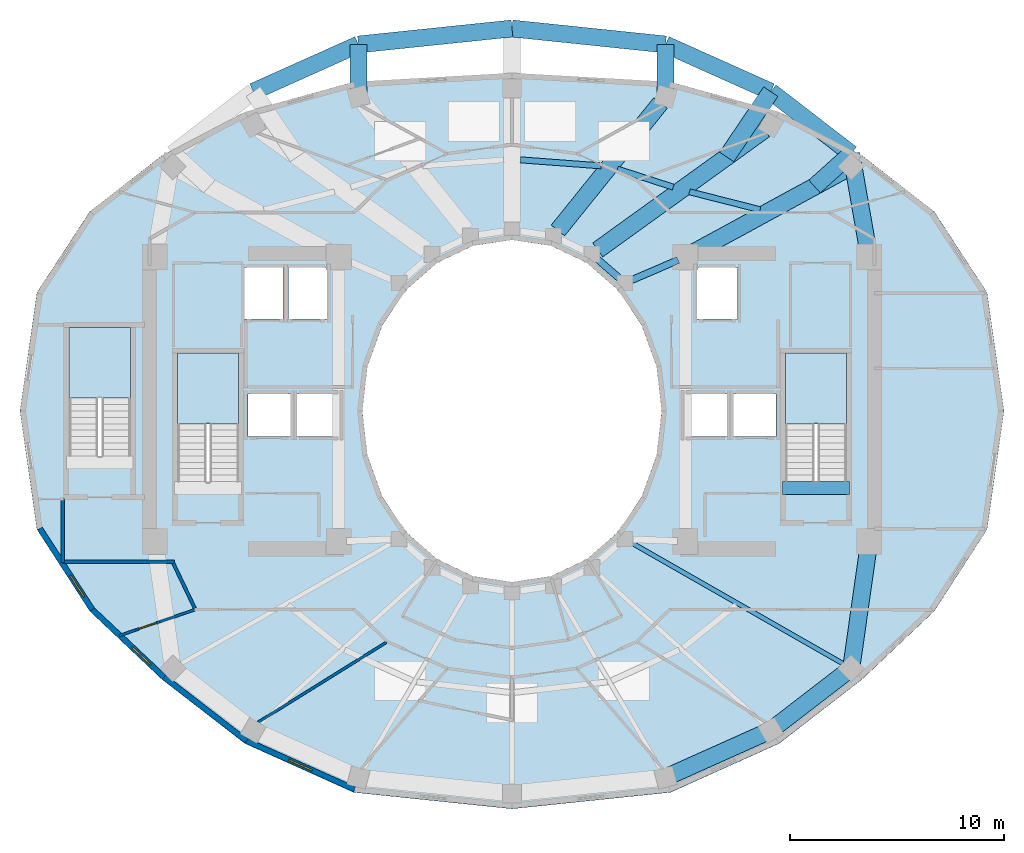
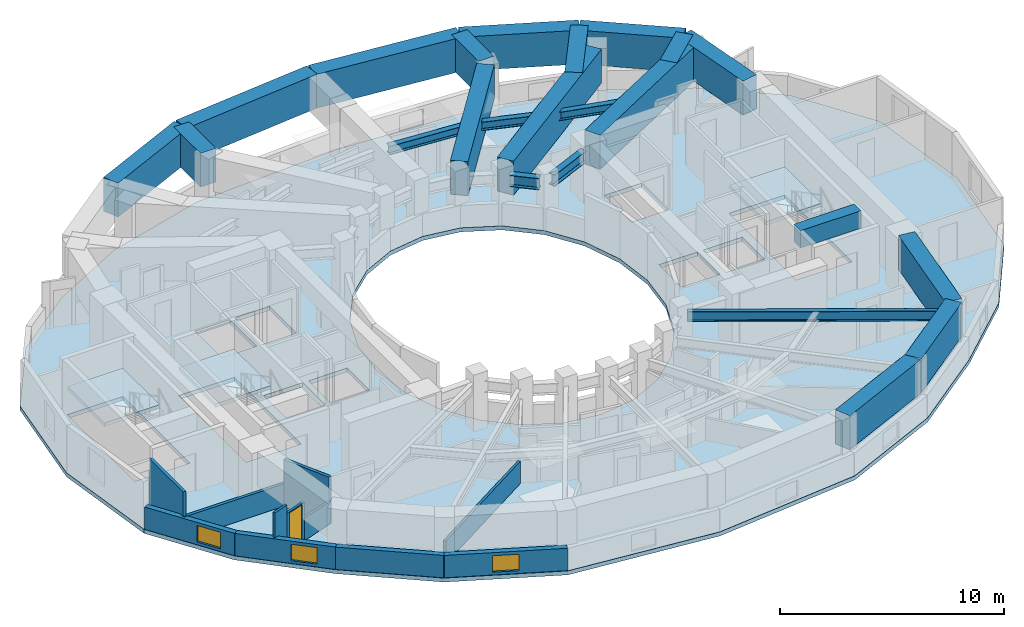
# One storey, part 2 of 9: 23 beams, 11 walls, 4 slabs, 3 windows, 1 door, 4 openings, 3 elements without a shape of their own.
"""IFC4 building model written with IfcOpenShell, lengths in metres."""

from ifc_helpers import new_model, si_unit, direction, frame, frame_2d, origin, origin_2d, place, context, subcontext, project, spatial, polyline, rectangle, i_section, outline, extrude, material, layer, layer_set, material_profile, profile_set, type_object, element, fill, aggregate, save


model = new_model("IFC4")

# Units and contexts
model_context = context("Model", 3, precision=1e-05, world=origin(), true_north=direction((0.0, 1.0)))
body_context = subcontext(model_context, "Body", "Model", "MODEL_VIEW")
ifc_project = project(units=[si_unit("LENGTHUNIT", "METRE"), si_unit("AREAUNIT", "SQUARE_METRE"), si_unit("VOLUMEUNIT", "CUBIC_METRE"), si_unit("PLANEANGLEUNIT", "RADIAN"), si_unit("MASSUNIT", "GRAM", prefix="KILO")], contexts=[model_context])

# Site, building, storey
site_placement = place(None, origin())
site = spatial("IfcSite", under=ifc_project, at=site_placement, CompositionType="ELEMENT")
building_placement = place(site_placement, origin())
building = spatial("IfcBuilding", under=site, at=building_placement, Name="Solvane Sanctuary Tower", CompositionType="ELEMENT")
storey_placement = place(building_placement, frame((0.0, 0.0, 140.5)))
storey = spatial("IfcBuildingStorey", under=building, at=storey_placement, Name="L42", CompositionType="ELEMENT", Elevation=140.5)

# Beams
ifc_material_1 = material(Name="Concrete C70/85", Category="concrete")
ifc_material_profile_1 = material_profile(ifc_material_1, rectangle(XDim=0.60009765625, YDim=0.949951171875, at=origin_2d()), Name="RC600X950")
ifc_profile_set_1 = profile_set([ifc_material_profile_1], Name="Concrete C70/85")
beam_type_1 = type_object("IfcBeamType", Name="Beam B-COUPLE RC600X950", PredefinedType="LINTEL", material=ifc_profile_set_1)
beam_1_placement = place(storey_placement, frame((44.64990234375, 19.399169921875, 2.625), z_axis=(1.0, 0.0, 0.0), x_axis=(0.0, 1.0, 0.0)))
element("IfcBeam", 1, at=beam_1_placement, inside=storey, type_object=beam_type_1, Name="L42 ST-2 Stair Floor Landing Trimmer", PredefinedType="LINTEL", context=body_context, shape_type="SweptSolid", body=[
    extrude(rectangle(XDim=0.60009765625, YDim=0.949951171875, at=origin_2d()), origin(), (0.0, 0.0, 1.0), 3.1201171875),
])
ifc_material_2 = material(Name="Steel ASTM A992 Grade 50", Category="steel")
ifc_material_profile_2 = material_profile(ifc_material_2, i_section(OverallWidth=0.214111328125, OverallDepth=0.549072265625, WebThickness=0.0146484375, FlangeThickness=0.023681640625, FilletRadius=0.014892578125, at=origin_2d()), Name="W21X93")
ifc_profile_set_2 = profile_set([ifc_material_profile_2], Name="Steel ASTM A992 Grade 50")
beam_type_2 = type_object("IfcBeamType", Name="Beam B-RAD-Z3 W21X93", PredefinedType="JOIST", material=ifc_profile_set_2)
beam_2_placement = place(storey_placement, frame((37.51806640625, 16.87890625, 2.323486328125), z_axis=(0.86816302692, -0.496279113694, 0.0), x_axis=(0.496279113694, 0.86816302692, 0.0)))
element("IfcBeam", 2, at=beam_2_placement, inside=storey, type_object=beam_type_2, Name="L42 Radial Composite Floor Beam 14", PredefinedType="JOIST", context=body_context, shape_type="SweptSolid", body=[
    extrude(i_section(OverallWidth=0.214111328125, OverallDepth=0.549072265625, WebThickness=0.0146484375, FlangeThickness=0.023681640625, FilletRadius=0.014892578125, at=origin_2d()), origin(), (0.0, 0.0, 1.0), 11.62841796875),
])
ifc_material_profile_3 = material_profile(ifc_material_2, i_section(OverallWidth=0.324951171875, OverallDepth=0.615966796875, WebThickness=0.013916015625, FlangeThickness=0.021484375, FilletRadius=0.01611328125, at=origin_2d()), Name="W24X117")
ifc_profile_set_3 = profile_set([ifc_material_profile_3], Name="Steel ASTM A992 Grade 50")
beam_type_3 = type_object("IfcBeamType", Name="Beam B-RING-IN2 W24X117", PredefinedType="BEAM", material=ifc_profile_set_3)
beam_3_placement = place(storey_placement, frame((35.990234375, 30.10009765625, 2.2900390625), z_axis=(0.754311313851, -0.656516901379, 0.0), x_axis=(0.656516901379, 0.754311313851, 0.0)))
element("IfcBeam", 3, at=beam_3_placement, inside=storey, type_object=beam_type_3, Name="L42 Inner Light-Well Ring Beam IC02-IC01", PredefinedType="BEAM", context=body_context, shape_type="SweptSolid", body=[
    extrude(i_section(OverallWidth=0.324951171875, OverallDepth=0.615966796875, WebThickness=0.013916015625, FlangeThickness=0.021484375, FilletRadius=0.01611328125, at=origin_2d()), origin(), (0.0, 0.0, 1.0), 1.358154296875),
])
beam_4_placement = place(storey_placement, frame((37.591796875, 29.11865234375, 2.2900390625), z_axis=(0.918264067649, 0.395968561966, 0.0), x_axis=(-0.395968561966, 0.918264067649, 0.0)))
element("IfcBeam", 4, at=beam_4_placement, inside=storey, type_object=beam_type_3, Name="L42 Inner Light-Well Ring Beam IC01-CE4", PredefinedType="BEAM", context=body_context, shape_type="SweptSolid", body=[
    extrude(i_section(OverallWidth=0.324951171875, OverallDepth=0.615966796875, WebThickness=0.013916015625, FlangeThickness=0.021484375, FilletRadius=0.01611328125, at=origin_2d()), origin(), (0.0, 0.0, 1.0), 2.371337890625),
])
ifc_material_profile_4 = material_profile(ifc_material_2, i_section(OverallWidth=0.280029296875, OverallDepth=0.462890625, WebThickness=0.0107421875, FlangeThickness=0.017333984375, FilletRadius=0.013916015625, at=origin_2d()), Name="W18X76")
ifc_profile_set_4 = profile_set([ifc_material_profile_4], Name="Steel ASTM A992 Grade 50")
beam_type_4 = type_object("IfcBeamType", Name="Beam B-SEC-JOIST W18X76", PredefinedType="JOIST", material=ifc_profile_set_4)
beam_5_placement = place(storey_placement, frame((32.393798828125, 34.740478515625, 2.366455078125), z_axis=(0.997214593532, -0.074585886379, 0.0), x_axis=(0.074585886379, 0.997214593532, 0.0)))
element("IfcBeam", 5, at=beam_5_placement, inside=storey, type_object=beam_type_4, Name="L42 Secondary Circumferential Joist 04-03", PredefinedType="JOIST", context=body_context, shape_type="SweptSolid", body=[
    extrude(i_section(OverallWidth=0.280029296875, OverallDepth=0.462890625, WebThickness=0.0107421875, FlangeThickness=0.017333984375, FilletRadius=0.013916015625, at=origin_2d()), origin(), (0.0, 0.0, 1.0), 3.77734375),
])
beam_6_placement = place(storey_placement, frame((36.930419921875, 34.3076171875, 2.366455078125), z_axis=(0.951521219436, -0.307583109035, 0.0), x_axis=(0.307583109035, 0.951521219436, 0.0)))
element("IfcBeam", 6, at=beam_6_placement, inside=storey, type_object=beam_type_4, Name="L42 Secondary Circumferential Joist 03-02", PredefinedType="JOIST", context=body_context, shape_type="SweptSolid", body=[
    extrude(i_section(OverallWidth=0.280029296875, OverallDepth=0.462890625, WebThickness=0.0107421875, FlangeThickness=0.017333984375, FilletRadius=0.013916015625, at=origin_2d()), origin(), (0.0, 0.0, 1.0), 2.74072265625),
])
beam_7_placement = place(storey_placement, frame((40.297119140625, 33.24609375, 2.366455078125), z_axis=(0.969352380712, -0.245674504186, 0.0), x_axis=(0.245674504186, 0.969352380712, 0.0)))
element("IfcBeam", 7, at=beam_7_placement, inside=storey, type_object=beam_type_4, Name="L42 Secondary Circumferential Joist 02-01", PredefinedType="JOIST", context=body_context, shape_type="SweptSolid", body=[
    extrude(i_section(OverallWidth=0.280029296875, OverallDepth=0.462890625, WebThickness=0.0107421875, FlangeThickness=0.017333984375, FilletRadius=0.013916015625, at=origin_2d()), origin(), (0.0, 0.0, 1.0), 3.402587890625),
])
ifc_material_profile_5 = material_profile(ifc_material_1, rectangle(XDim=0.800048828125, YDim=1.85009765625, at=origin_2d()), Name="RC800X1850")
ifc_profile_set_5 = profile_set([ifc_material_profile_5], Name="Concrete C70/85")
beam_type_5 = type_object("IfcBeamType", Name="Beam B-XFER-BLK RC800X1850", PredefinedType="BEAM", material=ifc_profile_set_5)
beam_8_placement = place(storey_placement, frame((40.416015625, 30.372314453125, 2.175048828125), z_axis=(0.878108492406, 0.47846157167, 0.0), x_axis=(-0.47846157167, 0.878108492406, 0.0)))
element("IfcBeam", 8, at=beam_8_placement, inside=storey, type_object=beam_type_5, Name="L42 Block-Shift Radial Transfer Girder 01A", PredefinedType="BEAM", context=body_context, shape_type="SweptSolid", body=[
    extrude(rectangle(XDim=0.800048828125, YDim=1.85009765625, at=origin_2d()), origin(), (0.0, 0.0, 1.0), 8.103515625),
])
beam_9_placement = place(storey_placement, frame((46.144287109375, 33.493408203125, 2.175048828125), z_axis=(0.744063778649, 0.668108593945, 0.0), x_axis=(-0.668108593945, 0.744063778649, 0.0)))
element("IfcBeam", 9, at=beam_9_placement, inside=storey, type_object=beam_type_5, Name="L42 Block-Shift Transfer Tie 01B", PredefinedType="BEAM", context=body_context, shape_type="SweptSolid", body=[
    extrude(rectangle(XDim=0.800048828125, YDim=1.85009765625, at=origin_2d()), origin(), (0.0, 0.0, 1.0), 2.301513671875),
])
beam_10_placement = place(storey_placement, frame((36.010009765625, 30.5283203125, 2.175048828125), z_axis=(0.811184514133, 0.584790290643, 0.0), x_axis=(-0.584790290643, 0.811184514133, 0.0)))
element("IfcBeam", 10, at=beam_10_placement, inside=storey, type_object=beam_type_5, Name="L42 Block-Shift Radial Transfer Girder 02A", PredefinedType="BEAM", context=body_context, shape_type="SweptSolid", body=[
    extrude(rectangle(XDim=0.800048828125, YDim=1.85009765625, at=origin_2d()), origin(), (0.0, 0.0, 1.0), 9.600830078125),
])
beam_11_placement = place(storey_placement, frame((42.03662109375, 34.873291015625, 2.175048828125), z_axis=(0.559400033837, 0.828897823705, 0.0), x_axis=(-0.828897823705, 0.559400033837, 0.0)))
element("IfcBeam", 11, at=beam_11_placement, inside=storey, type_object=beam_type_5, Name="L42 Block-Shift Transfer Tie 02B", PredefinedType="BEAM", context=body_context, shape_type="SweptSolid", body=[
    extrude(rectangle(XDim=0.800048828125, YDim=1.85009765625, at=origin_2d()), origin(), (0.0, 0.0, 1.0), 3.685302734375),
])
beam_12_placement = place(storey_placement, frame((34.147216796875, 31.4404296875, 2.175048828125), z_axis=(0.627295131383, 0.778781624169, 0.0), x_axis=(-0.778781624169, 0.627295131383, 0.0)))
element("IfcBeam", 12, at=beam_12_placement, inside=storey, type_object=beam_type_5, Name="L42 Block-Shift Radial Transfer Girder 03A", PredefinedType="BEAM", context=body_context, shape_type="SweptSolid", body=[
    extrude(rectangle(XDim=0.800048828125, YDim=1.85009765625, at=origin_2d()), origin(), (0.0, 0.0, 1.0), 7.650390625),
])
for number, where, z_axis, x_axis, name in (
    (13, (39.17822265625, 37.73681640625, 2.175048828125), (0.0, 1.0, 0.0), (-1.0, 0.0, 0.0), "L42 Block-Shift Transfer Tie 03B"),
    (14, (24.82177734375, 37.73681640625, 2.175048828125), (0.0, 1.0, 0.0), (-1.0, 0.0, 0.0), "L42 Block-Shift Transfer Tie 05B"),
):
    element("IfcBeam", number, at=place(storey_placement, frame(where, z_axis=z_axis, x_axis=x_axis)), inside=storey, type_object=beam_type_5, Name=name, PredefinedType="BEAM", context=body_context, shape_type="SweptSolid", body=[
        extrude(rectangle(XDim=0.800048828125, YDim=1.85009765625, at=origin_2d()), origin(), (0.0, 0.0, 1.0), 2.397705078125),
    ])
beam_13_placement = place(storey_placement, frame((19.90185546875, 37.927978515625, 2.175048828125), z_axis=(0.912435879272, 0.409219704092, 0.0), x_axis=(-0.409219704092, 0.912435879272, 0.0)))
element("IfcBeam", 15, at=beam_13_placement, inside=storey, type_object=beam_type_5, Name="L42 Perimeter Step Transfer Ring NTC06-NTC05", PredefinedType="BEAM", context=body_context, shape_type="SweptSolid", body=[
    extrude(rectangle(XDim=0.800048828125, YDim=1.85009765625, at=origin_2d()), origin(), (0.0, 0.0, 1.0), 5.39208984375),
])
for number, where, z_axis, x_axis, name in (
    (16, (24.82177734375, 40.134521484375, 2.175048828125), (0.994652199756, 0.10328117699, 0.0), (-0.10328117699, 0.994652199756, 0.0), "L42 Perimeter Step Transfer Ring NTC05-NTC04"),
    (17, (32.0, 40.8798828125, 2.175048828125), (0.994652199756, -0.10328117699, 0.0), (0.10328117699, 0.994652199756, 0.0), "L42 Perimeter Step Transfer Ring NTC04-NTC03"),
):
    element("IfcBeam", number, at=place(storey_placement, frame(where, z_axis=z_axis, x_axis=x_axis)), inside=storey, type_object=beam_type_5, Name=name, PredefinedType="BEAM", context=body_context, shape_type="SweptSolid", body=[
        extrude(rectangle(XDim=0.800048828125, YDim=1.85009765625, at=origin_2d()), origin(), (0.0, 0.0, 1.0), 7.216796875),
    ])
beam_14_placement = place(storey_placement, frame((39.17822265625, 40.134521484375, 2.175048828125), z_axis=(0.912435879272, -0.409219704092, 0.0), x_axis=(0.409219704092, 0.912435879272, 0.0)))
element("IfcBeam", 18, at=beam_14_placement, inside=storey, type_object=beam_type_5, Name="L42 Perimeter Step Transfer Ring NTC03-NTC02", PredefinedType="BEAM", context=body_context, shape_type="SweptSolid", body=[
    extrude(rectangle(XDim=0.800048828125, YDim=1.85009765625, at=origin_2d()), origin(), (0.0, 0.0, 1.0), 5.39208984375),
])
beam_15_placement = place(storey_placement, frame((44.09814453125, 37.927978515625, 2.175048828125), z_axis=(0.792034554649, -0.610476260179, 0.0), x_axis=(0.610476260179, 0.792034554649, 0.0)))
element("IfcBeam", 19, at=beam_15_placement, inside=storey, type_object=beam_type_5, Name="L42 Perimeter Step Transfer Ring NTC02-NTC01", PredefinedType="BEAM", context=body_context, shape_type="SweptSolid", body=[
    extrude(rectangle(XDim=0.800048828125, YDim=1.85009765625, at=origin_2d()), origin(), (0.0, 0.0, 1.0), 4.745361328125),
])
beam_16_placement = place(storey_placement, frame((47.856689453125, 35.031005859375, 2.175048828125), z_axis=(0.171982816413, -0.98509994968, 0.0), x_axis=(0.98509994968, 0.171982816413, 0.0)))
element("IfcBeam", 20, at=beam_16_placement, inside=storey, type_object=beam_type_5, Name="L42 Perimeter Step Transfer Ring NTC01-CE3", PredefinedType="BEAM", context=body_context, shape_type="SweptSolid", body=[
    extrude(rectangle(XDim=0.800048828125, YDim=1.85009765625, at=origin_2d()), origin(), (0.0, 0.0, 1.0), 4.5439453125),
])
beam_17_placement = place(storey_placement, frame((39.17822265625, 5.865478515625, 2.175048828125), z_axis=(0.912435879272, 0.409219704092, 0.0), x_axis=(-0.409219704092, 0.912435879272, 0.0)))
element("IfcBeam", 21, at=beam_17_placement, inside=storey, type_object=beam_type_5, Name="L42 Perimeter Step Transfer Ring NTC12-NTC13", PredefinedType="BEAM", context=body_context, shape_type="SweptSolid", body=[
    extrude(rectangle(XDim=0.800048828125, YDim=1.85009765625, at=origin_2d()), origin(), (0.0, 0.0, 1.0), 5.39208984375),
])
beam_18_placement = place(storey_placement, frame((44.09814453125, 8.072021484375, 2.175048828125), z_axis=(0.792034554649, 0.610476260179, 0.0), x_axis=(-0.610476260179, 0.792034554649, 0.0)))
element("IfcBeam", 22, at=beam_18_placement, inside=storey, type_object=beam_type_5, Name="L42 Perimeter Step Transfer Ring NTC13-NTC14", PredefinedType="BEAM", context=body_context, shape_type="SweptSolid", body=[
    extrude(rectangle(XDim=0.800048828125, YDim=1.85009765625, at=origin_2d()), origin(), (0.0, 0.0, 1.0), 4.745361328125),
])
beam_19_placement = place(storey_placement, frame((47.856689453125, 10.968994140625, 2.175048828125), z_axis=(0.1407839619, 0.990040340628, 0.0), x_axis=(-0.990040340628, 0.1407839619, 0.0)))
element("IfcBeam", 23, at=beam_19_placement, inside=storey, type_object=beam_type_5, Name="L42 Perimeter Step Transfer Ring NTC14-CE2", PredefinedType="BEAM", context=body_context, shape_type="SweptSolid", body=[
    extrude(rectangle(XDim=0.800048828125, YDim=1.85009765625, at=origin_2d()), origin(), (0.0, 0.0, 1.0), 5.630859375),
])

# Stair, slab
ifc_material_3 = material(Name="Concrete C45/55", Category="concrete")
stair_type = type_object("IfcStairType", Name="Stair ST-TOW", PredefinedType="HALF_TURN_STAIR", material=ifc_material_3)
stair_1_placement = place(storey_placement, origin())
stair_1 = element("IfcStair", 24, at=stair_1_placement, inside=storey, type_object=stair_type, Name="L42 Exit Stair ST-1 West Core", PredefinedType="HALF_TURN_STAIR")
ifc_layer_1 = layer(ifc_material_3, 0.199951171875, Name="Concrete C45/55")
ifc_layer_set_1 = layer_set([ifc_layer_1], Name="Concrete C45/55")
slab_type_1 = type_object("IfcSlabType", Name="Slab SL-LAND-180", PredefinedType="LANDING", material=ifc_layer_set_1)
slab_1_placement = place(storey_placement, frame((0.0, 0.0, 1.35009765625)))
slab_1 = element("IfcSlab", 25, at=slab_1_placement, type_object=slab_type_1, Name="ST-1 landing 1", PredefinedType="LANDING", context=body_context, shape_type="SweptSolid", body=[
    extrude(outline(polyline([(19.219970703125, 22.39990234375), (19.219970703125, 25.699951171875), (16.360107421875, 25.699951171875), (16.360107421875, 22.39990234375), (19.219970703125, 22.39990234375)])), origin(), (0.0, 0.0, 1.0), 0.199951171875),
])
aggregate(stair_1, [slab_1])

stair_2_placement = place(storey_placement, origin())
stair_2 = element("IfcStair", 26, at=stair_2_placement, inside=storey, type_object=stair_type, Name="L42 Exit Stair ST-2 East Core", PredefinedType="HALF_TURN_STAIR")
slab_2_placement = place(storey_placement, frame((0.0, 0.0, 1.35009765625)))
slab_2 = element("IfcSlab", 27, at=slab_2_placement, type_object=slab_type_1, Name="ST-2 landing 1", PredefinedType="LANDING", context=body_context, shape_type="SweptSolid", body=[
    extrude(outline(polyline([(47.639892578125, 22.39990234375), (47.639892578125, 25.699951171875), (44.780029296875, 25.699951171875), (44.780029296875, 22.39990234375), (47.639892578125, 22.39990234375)])), origin(), (0.0, 0.0, 1.0), 0.199951171875),
])
aggregate(stair_2, [slab_2])

stair_3_placement = place(storey_placement, origin())
stair_3 = element("IfcStair", 28, at=stair_3_placement, inside=storey, type_object=stair_type, Name="L42 Exit Stair ST-3 Pilgrim Tower Stair", PredefinedType="HALF_TURN_STAIR")
slab_3_placement = place(storey_placement, frame((0.0, 0.0, 1.35009765625)))
slab_3 = element("IfcSlab", 29, at=slab_3_placement, type_object=slab_type_1, Name="ST-3 landing 1", PredefinedType="LANDING", context=body_context, shape_type="SweptSolid", body=[
    extrude(outline(polyline([(14.159912109375, 23.60009765625), (14.159912109375, 26.89990234375), (11.300048828125, 26.89990234375), (11.300048828125, 23.60009765625), (14.159912109375, 23.60009765625)])), origin(), (0.0, 0.0, 1.0), 0.199951171875),
])
aggregate(stair_3, [slab_3])

# Slab
ifc_layer_2 = layer(ifc_material_3, 0.219970703125, Name="Concrete C45/55")
ifc_layer_set_2 = layer_set([ifc_layer_2], Name="Concrete C45/55")
slab_type_2 = type_object("IfcSlabType", Name="Slab SL-TOW-220", PredefinedType="FLOOR", material=ifc_layer_set_2)
slab_4_placement = place(storey_placement, frame((0.0, 0.0, -0.219970703125)))
element("IfcSlab", 30, at=slab_4_placement, inside=storey, type_object=slab_type_2, Name="L42 Primary Structural Slab", PredefinedType="FLOOR", context=body_context, shape_type="SweptSolid", body=[
    extrude(outline(polyline([(55.0, 23.0), (54.205322265625, 28.54150390625), (51.7392578125, 32.3193359375), (48.368896484375, 34.938720703125), (44.489013671875, 36.977294921875), (39.410400390625, 38.3818359375), (32.0, 38.800048828125), (24.589599609375, 38.3818359375), (19.510986328125, 36.977294921875), (15.631103515625, 34.938720703125), (12.2607421875, 32.3193359375), (9.794677734375, 28.54150390625), (9.0, 23.0), (9.794677734375, 17.45849609375), (12.2607421875, 13.639892578125), (15.631103515625, 10.45654296875), (19.510986328125, 7.4541015625), (24.589599609375, 5.17041015625), (32.0, 4.39990234375), (39.410400390625, 5.17041015625), (44.489013671875, 7.4541015625), (48.368896484375, 10.45654296875), (51.7392578125, 13.639892578125), (54.205322265625, 17.45849609375), (55.0, 23.0)]), holes=[polyline([(38.761474609375, 20.929443359375), (38.062255859375, 19.0), (36.94970703125, 17.343017578125), (35.5, 16.07177734375), (33.811767578125, 15.272705078125), (32.0, 15.0), (30.188232421875, 15.272705078125), (28.5, 16.07177734375), (27.05029296875, 17.343017578125), (25.937744140625, 19.0), (25.238525390625, 20.929443359375), (25.0, 23.0), (25.238525390625, 25.070556640625), (25.937744140625, 27.0), (27.05029296875, 28.656982421875), (28.5, 29.92822265625), (30.188232421875, 30.727294921875), (32.0, 31.0), (33.811767578125, 30.727294921875), (35.5, 29.92822265625), (36.94970703125, 28.656982421875), (38.062255859375, 27.0), (38.761474609375, 25.070556640625), (39.0, 23.0), (38.761474609375, 20.929443359375)]), polyline([(16.360107421875, 19.699951171875), (16.360107421875, 25.699951171875), (19.219970703125, 25.699951171875), (19.219970703125, 19.699951171875), (16.360107421875, 19.699951171875)]), polyline([(44.780029296875, 19.699951171875), (44.780029296875, 25.699951171875), (47.639892578125, 25.699951171875), (47.639892578125, 19.699951171875), (44.780029296875, 19.699951171875)]), polyline([(11.300048828125, 20.89990234375), (11.300048828125, 26.89990234375), (14.159912109375, 26.89990234375), (14.159912109375, 20.89990234375), (11.300048828125, 20.89990234375)]), polyline([(19.64990234375, 23.800048828125), (21.64990234375, 23.800048828125), (21.64990234375, 21.800048828125), (19.64990234375, 21.800048828125), (19.64990234375, 23.800048828125)]), polyline([(42.35009765625, 23.800048828125), (44.35009765625, 23.800048828125), (44.35009765625, 21.800048828125), (42.35009765625, 21.800048828125), (42.35009765625, 23.800048828125)]), polyline([(21.949951171875, 23.800048828125), (23.949951171875, 23.800048828125), (23.949951171875, 21.800048828125), (21.949951171875, 21.800048828125), (21.949951171875, 23.800048828125)]), polyline([(40.050048828125, 23.800048828125), (42.050048828125, 23.800048828125), (42.050048828125, 21.800048828125), (40.050048828125, 21.800048828125), (40.050048828125, 23.800048828125)]), polyline([(19.5, 29.699951171875), (21.300048828125, 29.699951171875), (21.300048828125, 27.300048828125), (19.5, 27.300048828125), (19.5, 29.699951171875)]), polyline([(21.550048828125, 29.699951171875), (23.35009765625, 29.699951171875), (23.35009765625, 27.300048828125), (21.550048828125, 27.300048828125), (21.550048828125, 29.699951171875)]), polyline([(40.64990234375, 29.699951171875), (42.550048828125, 29.699951171875), (42.550048828125, 27.300048828125), (40.64990234375, 27.300048828125), (40.64990234375, 29.699951171875)])]), origin(), (0.0, 0.0, 1.0), 0.219970703125),
])

# Walls
ifc_material_4 = material(Name="Acoustic Gypsum Partition Board")
ifc_layer_3 = layer(ifc_material_4, 0.14990234375, Name="Acoustic Gypsum Partition Board")
ifc_layer_set_3 = layer_set([ifc_layer_3], Name="Acoustic Gypsum Partition Board")
wall_type_1 = type_object("IfcWallType", Name="Wall W-CORR-150", PredefinedType="PARTITIONING", material=ifc_layer_set_3)
wall_1_placement = place(storey_placement, frame((11.0, 15.909912109375, 0.0), z_axis=(0.0, 0.0, 1.0), x_axis=(0.0, 1.0, 0.0)))
element("IfcWall", 31, at=wall_1_placement, inside=storey, type_object=wall_type_1, Name="L42 SW Corner Closer 2", PredefinedType="PARTITIONING", context=body_context, shape_type="SweptSolid", body=[
    extrude(rectangle(XDim=3.010009765625, YDim=0.14990234375, at=frame_2d((1.5048828125, 0.0))), origin(), (0.0, 0.0, 1.0), 2.574951171875),
])
wall_2_placement = place(storey_placement, frame((10.9599609375, 15.949951171875, 0.0), z_axis=(0.0, 0.0, 1.0), x_axis=(1.0, 0.0, 0.0)))
element("IfcWall", 32, at=wall_2_placement, inside=storey, type_object=wall_type_1, Name="L42 SW Corner Closer 3", PredefinedType="PARTITIONING", context=body_context, shape_type="SweptSolid", body=[
    extrude(rectangle(XDim=5.260009765625, YDim=0.14990234375, at=frame_2d((2.6298828125, 0.0))), origin(), (0.0, 0.0, 1.0), 1.219970703125),
])
wall_3_placement = place(storey_placement, frame((17.2216796875, 13.6748046875, 0.0), z_axis=(0.0, 0.0, 1.0), x_axis=(-0.431973389813, 0.901886351207, 0.0)))
element("IfcWall", 33, at=wall_3_placement, inside=storey, type_object=wall_type_1, Name="L42 SW Corner Wing Wall", PredefinedType="PARTITIONING", context=body_context, shape_type="SweptSolid", body=[
    extrude(rectangle(XDim=2.45166015625, YDim=0.14990234375, at=frame_2d((1.225830078125, 0.0))), origin(), (0.0, 0.0, 1.0), 2.574951171875),
])

# Wall, opening, window
ifc_material_5 = material(Name="Precast concrete C40/50", Category="concrete")
ifc_layer_4 = layer(ifc_material_5, 0.260009765625, Name="Precast concrete C40/50")
ifc_layer_set_4 = layer_set([ifc_layer_4], Name="Precast concrete C40/50")
wall_type_2 = type_object("IfcWallType", Name="Wall W-EXT-250", PredefinedType="STANDARD", material=ifc_layer_set_4)
wall_4_placement = place(storey_placement, frame((9.9296875, 17.50341796875, 0.0), z_axis=(0.0, 0.0, 1.0), x_axis=(0.543358984534, -0.839500454989, 0.0)))
wall_4 = element("IfcWall", 34, at=wall_4_placement, inside=storey, type_object=wall_type_2, Name="L42 Ceramic-Printed Facade Wall 13", PredefinedType="STANDARD", context=body_context, shape_type="SweptSolid", body=[
    extrude(rectangle(XDim=4.51123046875, YDim=0.260009765625, at=frame_2d((2.255615234375, 0.0))), origin(), (0.0, 0.0, 1.0), 1.219970703125),
])
opening_1_placement = place(wall_4_placement, frame((2.615478515625, 0.0, 0.14990234375)))
opening_1 = element("IfcOpeningElement", 35, at=opening_1_placement, cuts=wall_4, Name="Opening WN-OPER-1200", PredefinedType="OPENING", context=body_context, shape_type="SweptSolid", body=[
    extrude(rectangle(XDim=1.199951171875, YDim=0.89990234375, at=frame_2d((0.60009765625, 0.449951171875))), frame((0.0, 0.139892578125, 0.0), z_axis=(0.0, -1.0, 0.0), x_axis=(1.0, 0.0, 0.0)), (0.0, 0.0, 1.0), 0.280029296875),
])
ifc_material_6 = material(Name="Dark Ceramic-Fritted Low-E Glass", Category="glass")
window_type = type_object("IfcWindowType", Name="Window WN-OPER-1200", PartitioningType="SINGLE_PANEL", PredefinedType="WINDOW", material=ifc_material_6)
window_1_placement = place(opening_1_placement, origin())
window_1 = element("IfcWindow", 36, at=window_1_placement, inside=storey, type_object=window_type, Name="L42 Operable Facade Window 13", OverallHeight=0.89990234375, OverallWidth=1.199951171875, PartitioningType="SINGLE_PANEL", PredefinedType="WINDOW", context=body_context, shape_type="SweptSolid", body=[
    extrude(rectangle(XDim=1.199951171875, YDim=0.89990234375, at=frame_2d((0.60009765625, 0.449951171875))), frame((0.0, 0.030029296875, 0.0), z_axis=(0.0, -1.0, 0.0), x_axis=(1.0, 0.0, 0.0)), (0.0, 0.0, 1.0), 0.06005859375),
])
fill(opening_1, window_1)

wall_5_placement = place(storey_placement, frame((12.380859375, 13.71630859375, 0.0), z_axis=(0.0, 0.0, 1.0), x_axis=(0.727667301037, -0.68593024354, 0.0)))
wall_5 = element("IfcWall", 37, at=wall_5_placement, inside=storey, type_object=wall_type_2, Name="L42 Ceramic-Printed Facade Wall 14", PredefinedType="STANDARD", context=body_context, shape_type="SweptSolid", body=[
    extrude(rectangle(XDim=4.603515625, YDim=0.260009765625, at=frame_2d((2.3017578125, 0.0))), origin(), (0.0, 0.0, 1.0), 1.219970703125),
])
opening_2_placement = place(wall_5_placement, frame((2.5595703125, 0.0, 0.14990234375)))
opening_2 = element("IfcOpeningElement", 38, at=opening_2_placement, cuts=wall_5, Name="Opening WN-OPER-1200", PredefinedType="OPENING", context=body_context, shape_type="SweptSolid", body=[
    extrude(rectangle(XDim=1.199951171875, YDim=0.89990234375, at=frame_2d((0.60009765625, 0.449951171875))), frame((0.0, 0.139892578125, 0.0), z_axis=(0.0, -1.0, 0.0), x_axis=(1.0, 0.0, 0.0)), (0.0, 0.0, 1.0), 0.280029296875),
])
window_2_placement = place(opening_2_placement, origin())
window_2 = element("IfcWindow", 39, at=window_2_placement, inside=storey, type_object=window_type, Name="L42 Operable Facade Window 14", OverallHeight=0.89990234375, OverallWidth=1.199951171875, PartitioningType="SINGLE_PANEL", PredefinedType="WINDOW", context=body_context, shape_type="SweptSolid", body=[
    extrude(rectangle(XDim=1.199951171875, YDim=0.89990234375, at=frame_2d((0.60009765625, 0.449951171875))), frame((0.0, 0.030029296875, 0.0), z_axis=(0.0, -1.0, 0.0), x_axis=(1.0, 0.0, 0.0)), (0.0, 0.0, 1.0), 0.06005859375),
])
fill(opening_2, window_2)

# Wall
wall_6_placement = place(storey_placement, frame((15.730712890625, 10.55859375, 0.0), z_axis=(0.0, 0.0, 1.0), x_axis=(0.791460185804, -0.611220724687, 0.0)))
element("IfcWall", 40, at=wall_6_placement, inside=storey, type_object=wall_type_2, Name="L42 Ceramic-Printed Facade Wall 15", PredefinedType="STANDARD", context=body_context, shape_type="SweptSolid", body=[
    extrude(rectangle(XDim=4.872314453125, YDim=0.260009765625, at=frame_2d((2.43603515625, 0.0))), origin(), (0.0, 0.0, 1.0), 1.219970703125),
])

# Wall, opening, window
wall_7_placement = place(storey_placement, frame((19.5869140625, 7.58056640625, 0.0), z_axis=(0.0, 0.0, 1.0), x_axis=(0.912353637112, -0.409403029847, 0.0)))
wall_7 = element("IfcWall", 41, at=wall_7_placement, inside=storey, type_object=wall_type_2, Name="L42 Ceramic-Printed Facade Wall 16", PredefinedType="STANDARD", context=body_context, shape_type="SweptSolid", body=[
    extrude(rectangle(XDim=5.53271484375, YDim=0.260009765625, at=frame_2d((2.766357421875, 0.0))), origin(), (0.0, 0.0, 1.0), 1.219970703125),
])
opening_3_placement = place(wall_7_placement, frame((2.16650390625, 0.0, 0.14990234375)))
opening_3 = element("IfcOpeningElement", 42, at=opening_3_placement, cuts=wall_7, Name="Opening WN-OPER-1200", PredefinedType="OPENING", context=body_context, shape_type="SweptSolid", body=[
    extrude(rectangle(XDim=1.199951171875, YDim=0.89990234375, at=frame_2d((0.60009765625, 0.449951171875))), frame((0.0, 0.139892578125, 0.0), z_axis=(0.0, -1.0, 0.0), x_axis=(1.0, 0.0, 0.0)), (0.0, 0.0, 1.0), 0.280029296875),
])
window_3_placement = place(opening_3_placement, origin())
window_3 = element("IfcWindow", 43, at=window_3_placement, inside=storey, type_object=window_type, Name="L42 Operable Facade Window 16", OverallHeight=0.89990234375, OverallWidth=1.199951171875, PartitioningType="SINGLE_PANEL", PredefinedType="WINDOW", context=body_context, shape_type="SweptSolid", body=[
    extrude(rectangle(XDim=1.199951171875, YDim=0.89990234375, at=frame_2d((0.60009765625, 0.449951171875))), frame((0.0, 0.030029296875, 0.0), z_axis=(0.0, -1.0, 0.0), x_axis=(1.0, 0.0, 0.0)), (0.0, 0.0, 1.0), 0.06005859375),
])
fill(opening_3, window_3)

# Wall
ifc_layer_5 = layer(ifc_material_4, 0.1201171875, Name="Acoustic Gypsum Partition Board")
ifc_layer_set_5 = layer_set([ifc_layer_5], Name="Acoustic Gypsum Partition Board")
wall_type_3 = type_object("IfcWallType", Name="Wall W-MOV-100", PredefinedType="MOVABLE", material=ifc_layer_set_5)
wall_8_placement = place(storey_placement, frame((17.247314453125, 13.736328125, 0.0), z_axis=(0.0, 0.0, 1.0), x_axis=(-0.945652975294, -0.325177567366, 0.0)))
element("IfcWall", 44, at=wall_8_placement, inside=storey, type_object=wall_type_3, Name="L42 SW Corner Suite Partition", PredefinedType="MOVABLE", context=body_context, shape_type="SweptSolid", body=[
    extrude(rectangle(XDim=1.81396484375, YDim=0.1201171875, at=frame_2d((0.906982421875, 0.0))), origin(), (0.0, 0.0, 1.0), 1.219970703125),
])

# Wall, opening, door
wall_9_placement = place(storey_placement, frame((15.531982421875, 13.146484375, 0.0), z_axis=(0.0, 0.0, 1.0), x_axis=(-0.945742719509, -0.324916463874, 0.0)))
wall_9 = element("IfcWall", 45, at=wall_9_placement, inside=storey, type_object=wall_type_3, Name="L42 SW Corner Suite Partition", PredefinedType="MOVABLE", context=body_context, shape_type="SweptSolid", body=[
    extrude(rectangle(XDim=1.169921875, YDim=0.1201171875, at=frame_2d((0.5849609375, 0.0))), origin(), (0.0, 0.0, 1.0), 2.110107421875),
])
opening_4_placement = place(wall_9_placement, frame((0.159912109375, 0.0, 0.0)))
opening_4 = element("IfcOpeningElement", 46, at=opening_4_placement, cuts=wall_9, Name="Opening D-L42-17", PredefinedType="OPENING", context=body_context, shape_type="SweptSolid", body=[
    extrude(rectangle(XDim=0.85009765625, YDim=2.050048828125, at=frame_2d((0.425048828125, 1.02490234375))), frame((0.0, 0.070068359375, 0.0), z_axis=(0.0, -1.0, 0.0), x_axis=(1.0, 0.0, 0.0)), (0.0, 0.0, 1.0), 0.14013671875),
])
ifc_material_7 = material(Name="Architectural Stainless Steel 316", Category="steel")
door_type = type_object("IfcDoorType", Name="Door D-RISER", OperationType="NOTDEFINED", PredefinedType="DOOR", material=ifc_material_7)
door_placement = place(opening_4_placement, origin())
door = element("IfcDoor", 47, at=door_placement, inside=storey, type_object=door_type, Name="L42 SW Corner Suite Door", OperationType="SINGLE_SWING_LEFT", OverallHeight=2.050048828125, OverallWidth=0.85009765625, PredefinedType="DOOR", context=body_context, shape_type="SweptSolid", body=[
    extrude(rectangle(XDim=0.85009765625, YDim=2.050048828125, at=frame_2d((0.425048828125, 1.02490234375))), frame((0.0, 0.02490234375, 0.0), z_axis=(0.0, -1.0, 0.0), x_axis=(1.0, 0.0, 0.0)), (0.0, 0.0, 1.0), 0.050048828125),
])
fill(opening_4, door)

# Walls
wall_10_placement = place(storey_placement, frame((14.425537109375, 12.766357421875, 0.0), z_axis=(0.0, 0.0, 1.0), x_axis=(-0.945666792175, -0.325137383544, 0.0)))
element("IfcWall", 48, at=wall_10_placement, inside=storey, type_object=wall_type_3, Name="L42 SW Corner Suite Partition", PredefinedType="MOVABLE", context=body_context, shape_type="SweptSolid", body=[
    extrude(rectangle(XDim=0.828857421875, YDim=0.1201171875, at=frame_2d((0.41455078125, 0.0))), origin(), (0.0, 0.0, 1.0), 2.574951171875),
])
ifc_layer_6 = layer(ifc_material_4, 0.125, Name="Acoustic Gypsum Partition Board")
ifc_layer_set_6 = layer_set([ifc_layer_6], Name="Acoustic Gypsum Partition Board")
wall_type_4 = type_object("IfcWallType", Name="Wall W-PART-125", PredefinedType="PARTITIONING", material=ifc_layer_set_6)
wall_11_placement = place(storey_placement, frame((26.125244140625, 12.18359375, 0.0), z_axis=(0.0, 0.0, 1.0), x_axis=(-0.849008457073, -0.528379257559, 0.0)))
element("IfcWall", 49, at=wall_11_placement, inside=storey, type_object=wall_type_4, Name="L42 Radial Compartment Wall 240", PredefinedType="PARTITIONING", context=body_context, shape_type="SweptSolid", body=[
    extrude(rectangle(XDim=7.076904296875, YDim=0.125, at=frame_2d((3.53857421875, 0.0))), origin(), (0.0, 0.0, 1.0), 1.219970703125),
])

save(model, "model.ifc")
